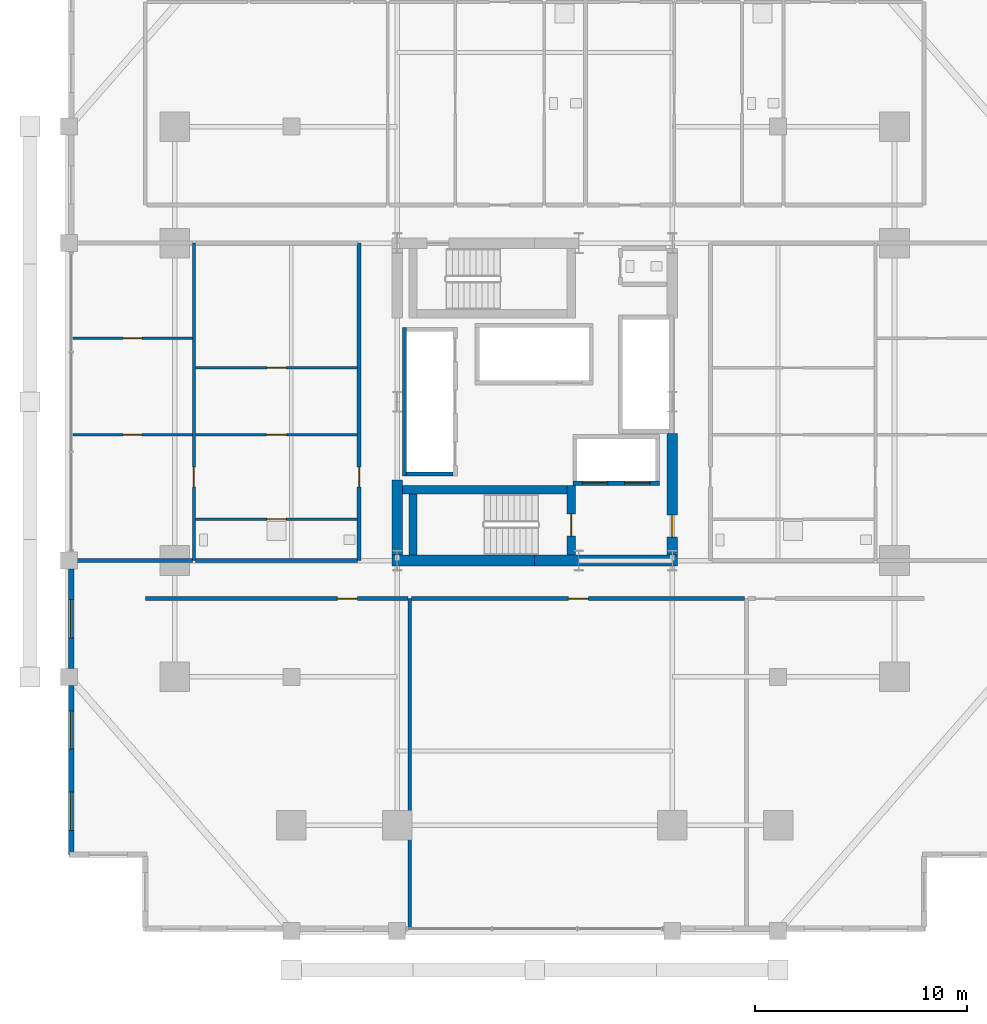
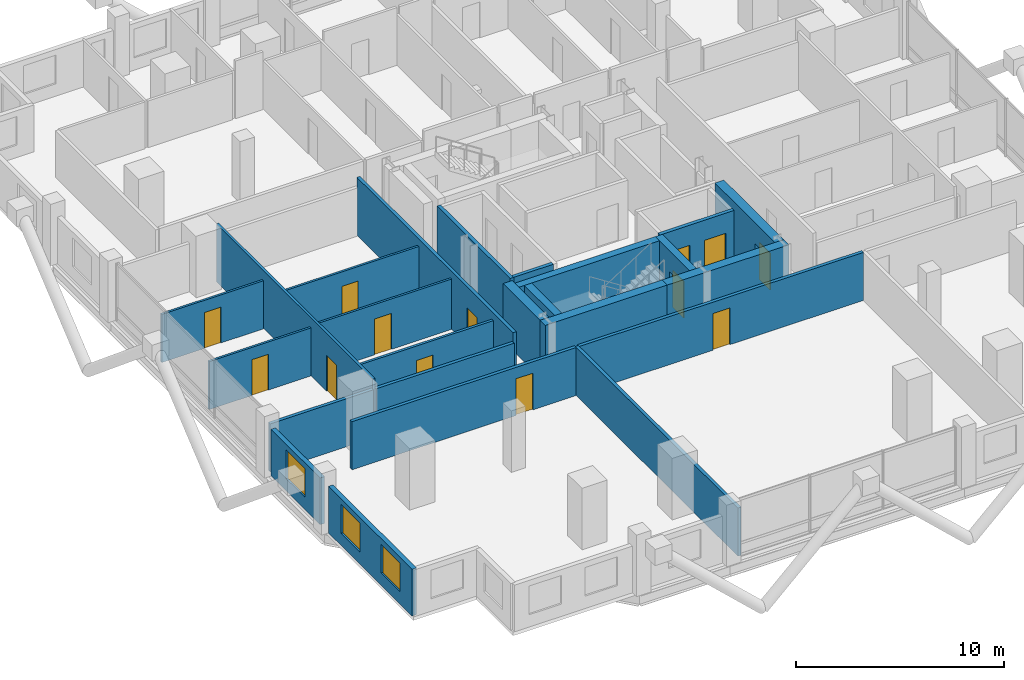
# One storey, part 17 of 23: 24 walls, 13 doors, 3 windows, 16 openings.
"""IFC4 building model written with IfcOpenShell, lengths in metres."""

from ifc_helpers import new_model, si_unit, direction, frame, frame_2d, origin, place, context, subcontext, project, spatial, rectangle, extrude, material, layer, layer_set, type_object, element, fill, save


model = new_model("IFC4")

# Units and contexts
model_context = context("Model", 3, precision=1e-05, world=origin(), true_north=direction((0.0, 1.0)))
body_context = subcontext(model_context, "Body", "Model", "MODEL_VIEW")
ifc_project = project(units=[si_unit("LENGTHUNIT", "METRE"), si_unit("AREAUNIT", "SQUARE_METRE"), si_unit("VOLUMEUNIT", "CUBIC_METRE"), si_unit("PLANEANGLEUNIT", "RADIAN"), si_unit("MASSUNIT", "GRAM", prefix="KILO")], contexts=[model_context])

# Site, building, storey
site_placement = place(None, origin())
site = spatial("IfcSite", under=ifc_project, at=site_placement, CompositionType="ELEMENT")
building_placement = place(site_placement, origin())
building = spatial("IfcBuilding", under=site, at=building_placement, Name="Barlavira Tower and Art Museum", CompositionType="ELEMENT")
storey_placement = place(building_placement, frame((0.0, 0.0, 57.60009765625)))
storey = spatial("IfcBuildingStorey", under=building, at=storey_placement, Name="L13", CompositionType="ELEMENT", Elevation=57.60009765625)

# Wall, opening, door
ifc_material_1 = material(Name="Gypsum acoustic stud partition", Category="gypsum")
ifc_layer_1 = layer(ifc_material_1, 0.1201171875, Name="Gypsum acoustic stud partition")
ifc_layer_set_1 = layer_set([ifc_layer_1], Name="Gypsum acoustic stud partition")
wall_type_1 = type_object("IfcWallType", Name="Apartment Internal Acoustic Partition 120", PredefinedType="PARTITIONING", material=ifc_layer_set_1)
wall_1_placement = place(storey_placement, frame((-21.820068359375, -1.550048828125, 0.0), z_axis=(0.0, 0.0, 1.0), x_axis=(1.0, 0.0, 0.0)))
wall_1 = element("IfcWall", 1, at=wall_1_placement, inside=storey, type_object=wall_type_1, Name="L13 Partition Wall 30", PredefinedType="PARTITIONING", context=body_context, shape_type="SweptSolid", body=[
    extrude(rectangle(XDim=5.64013671875, YDim=0.1201171875, at=frame_2d((2.820068359375, 0.0))), origin(), (0.0, 0.0, 1.0), 2.81591796875),
])
opening_1_placement = place(wall_1_placement, frame((2.3701171875, 0.0, 0.0)))
opening_1 = element("IfcOpeningElement", 2, at=opening_1_placement, cuts=wall_1, Name="Opening D-01", PredefinedType="OPENING", context=body_context, shape_type="SweptSolid", body=[
    extrude(rectangle(XDim=0.89990234375, YDim=2.10009765625, at=frame_2d((0.449951171875, 1.050048828125))), frame((0.0, 0.070068359375, 0.0), z_axis=(0.0, -1.0, 0.0), x_axis=(1.0, 0.0, 0.0)), (0.0, 0.0, 1.0), 0.14013671875),
])
ifc_material_2 = material(Name="Engineered coastal hardwood", Category="wood")
door_type_1 = type_object("IfcDoorType", Name="Internal Bedroom Timber Flush Door 900x2100", OperationType="NOTDEFINED", PredefinedType="DOOR", material=ifc_material_2)
door_1_placement = place(opening_1_placement, origin())
door_1 = element("IfcDoor", 3, at=door_1_placement, inside=storey, type_object=door_type_1, Name="Apartment W1 Bedroom 1 Door", OperationType="SINGLE_SWING_RIGHT", OverallHeight=2.10009765625, OverallWidth=0.89990234375, PredefinedType="DOOR", context=body_context, shape_type="SweptSolid", body=[
    extrude(rectangle(XDim=0.89990234375, YDim=2.10009765625, at=frame_2d((0.449951171875, 1.050048828125))), frame((0.0, 0.02490234375, 0.0), z_axis=(0.0, -1.0, 0.0), x_axis=(1.0, 0.0, 0.0)), (0.0, 0.0, 1.0), 0.050048828125),
])
fill(opening_1, door_1)

wall_2_placement = place(storey_placement, frame((-16.02001953125, -1.550048828125, 0.0), z_axis=(0.0, 0.0, 1.0), x_axis=(1.0, 0.0, 0.0)))
wall_2 = element("IfcWall", 4, at=wall_2_placement, inside=storey, type_object=wall_type_1, Name="L13 Partition Wall 31", PredefinedType="PARTITIONING", context=body_context, shape_type="SweptSolid", body=[
    extrude(rectangle(XDim=7.64013671875, YDim=0.1201171875, at=frame_2d((3.820068359375, 0.0))), origin(), (0.0, 0.0, 1.0), 2.947998046875),
])
opening_2_placement = place(wall_2_placement, frame((3.344970703125, 0.0, 0.0)))
opening_2 = element("IfcOpeningElement", 5, at=opening_2_placement, cuts=wall_2, Name="Opening D-02", PredefinedType="OPENING", context=body_context, shape_type="SweptSolid", body=[
    extrude(rectangle(XDim=0.949951171875, YDim=2.10009765625, at=frame_2d((0.47509765625, 1.050048828125))), frame((0.0, 0.070068359375, 0.0), z_axis=(0.0, -1.0, 0.0), x_axis=(1.0, 0.0, 0.0)), (0.0, 0.0, 1.0), 0.14013671875),
])
door_type_2 = type_object("IfcDoorType", Name="Living and Salon Glazed-Leaf Door 950x2100", OperationType="NOTDEFINED", PredefinedType="DOOR", material=ifc_material_2)
door_2_placement = place(opening_2_placement, origin())
door_2 = element("IfcDoor", 6, at=door_2_placement, inside=storey, type_object=door_type_2, Name="Apartment W1 Kitchen Door", OperationType="SINGLE_SWING_LEFT", OverallHeight=2.10009765625, OverallWidth=0.949951171875, PredefinedType="DOOR", context=body_context, shape_type="SweptSolid", body=[
    extrude(rectangle(XDim=0.949951171875, YDim=2.10009765625, at=frame_2d((0.47509765625, 1.050048828125))), frame((0.0, 0.02490234375, 0.0), z_axis=(0.0, -1.0, 0.0), x_axis=(1.0, 0.0, 0.0)), (0.0, 0.0, 1.0), 0.050048828125),
])
fill(opening_2, door_2)

wall_3_placement = place(storey_placement, frame((-16.02001953125, 1.60009765625, 0.0), z_axis=(0.0, 0.0, 1.0), x_axis=(1.0, 0.0, 0.0)))
wall_3 = element("IfcWall", 7, at=wall_3_placement, inside=storey, type_object=wall_type_1, Name="L13 Partition Wall 34", PredefinedType="PARTITIONING", context=body_context, shape_type="SweptSolid", body=[
    extrude(rectangle(XDim=7.64013671875, YDim=0.1201171875, at=frame_2d((3.820068359375, 0.0))), origin(), (0.0, 0.0, 1.0), 2.947998046875),
])
opening_3_placement = place(wall_3_placement, frame((3.3701171875, 0.0, 0.0)))
opening_3 = element("IfcOpeningElement", 8, at=opening_3_placement, cuts=wall_3, Name="Opening D-01", PredefinedType="OPENING", context=body_context, shape_type="SweptSolid", body=[
    extrude(rectangle(XDim=0.89990234375, YDim=2.10009765625, at=frame_2d((0.449951171875, 1.050048828125))), frame((0.0, 0.070068359375, 0.0), z_axis=(0.0, -1.0, 0.0), x_axis=(1.0, 0.0, 0.0)), (0.0, 0.0, 1.0), 0.14013671875),
])
door_3_placement = place(opening_3_placement, origin())
door_3 = element("IfcDoor", 9, at=door_3_placement, inside=storey, type_object=door_type_1, Name="Apartment W1 Walk-In Dressing Room Door", OperationType="SINGLE_SWING_RIGHT", OverallHeight=2.10009765625, OverallWidth=0.89990234375, PredefinedType="DOOR", context=body_context, shape_type="SweptSolid", body=[
    extrude(rectangle(XDim=0.89990234375, YDim=2.10009765625, at=frame_2d((0.449951171875, 1.050048828125))), frame((0.0, 0.02490234375, 0.0), z_axis=(0.0, -1.0, 0.0), x_axis=(1.0, 0.0, 0.0)), (0.0, 0.0, 1.0), 0.050048828125),
])
fill(opening_3, door_3)

wall_4_placement = place(storey_placement, frame((-21.820068359375, 3.0, 0.0), z_axis=(0.0, 0.0, 1.0), x_axis=(1.0, 0.0, 0.0)))
wall_4 = element("IfcWall", 10, at=wall_4_placement, inside=storey, type_object=wall_type_1, Name="L13 Partition Wall 36", PredefinedType="PARTITIONING", context=body_context, shape_type="SweptSolid", body=[
    extrude(rectangle(XDim=5.64013671875, YDim=0.1201171875, at=frame_2d((2.820068359375, 0.0))), origin(), (0.0, 0.0, 1.0), 2.81591796875),
])
opening_4_placement = place(wall_4_placement, frame((2.3701171875, 0.0, 0.0)))
opening_4 = element("IfcOpeningElement", 11, at=opening_4_placement, cuts=wall_4, Name="Opening D-01", PredefinedType="OPENING", context=body_context, shape_type="SweptSolid", body=[
    extrude(rectangle(XDim=0.89990234375, YDim=2.10009765625, at=frame_2d((0.449951171875, 1.050048828125))), frame((0.0, 0.070068359375, 0.0), z_axis=(0.0, -1.0, 0.0), x_axis=(1.0, 0.0, 0.0)), (0.0, 0.0, 1.0), 0.14013671875),
])
door_4_placement = place(opening_4_placement, origin())
door_4 = element("IfcDoor", 12, at=door_4_placement, inside=storey, type_object=door_type_1, Name="Apartment W1 Bedroom 2 Door", OperationType="SINGLE_SWING_LEFT", OverallHeight=2.10009765625, OverallWidth=0.89990234375, PredefinedType="DOOR", context=body_context, shape_type="SweptSolid", body=[
    extrude(rectangle(XDim=0.89990234375, YDim=2.10009765625, at=frame_2d((0.449951171875, 1.050048828125))), frame((0.0, 0.02490234375, 0.0), z_axis=(0.0, -1.0, 0.0), x_axis=(1.0, 0.0, 0.0)), (0.0, 0.0, 1.0), 0.050048828125),
])
fill(opening_4, door_4)

# Walls
ifc_material_3 = material(Name="Concrete C60", Category="concrete")
ifc_layer_2 = layer(ifc_material_3, 0.5, Name="Concrete C60")
ifc_layer_set_2 = layer_set([ifc_layer_2], Name="Concrete C60")
wall_type_2 = type_object("IfcWallType", Name="Core Structural Shear Wall 500 Concrete C60", PredefinedType="SHEAR", material=ifc_layer_set_2)
for number, where, z_axis, x_axis, name in (
    (13, (-6.75, -7.5, 0.0), (0.0, 0.0, 1.0), (1.0, 0.0, 0.0), "L13 Core Shear Wall CS-SW"),
    (14, (0.0, -7.5, 0.0), (0.0, 0.0, 1.0), (1.0, 0.0, 0.0), "L13 Core Shear Wall CS-SE"),
):
    element("IfcWall", number, at=place(storey_placement, frame(where, z_axis=z_axis, x_axis=x_axis)), inside=storey, type_object=wall_type_2, Name=name, PredefinedType="SHEAR", context=body_context, shape_type="SweptSolid", body=[
        extrude(rectangle(XDim=6.75, YDim=0.5, at=frame_2d((3.375, 0.0))), origin(), (0.0, 0.0, 1.0), 3.3798828125),
    ])
wall_5_placement = place(storey_placement, frame((-6.5, -7.25, 0.0), z_axis=(0.0, 0.0, 1.0), x_axis=(0.0, 1.0, 0.0)))
element("IfcWall", 15, at=wall_5_placement, inside=storey, type_object=wall_type_2, Name="L13 Core Shear Wall CS-W1", PredefinedType="SHEAR", context=body_context, shape_type="SweptSolid", body=[
    extrude(rectangle(XDim=3.550048828125, YDim=0.5, at=frame_2d((1.77490234375, 0.0))), origin(), (0.0, 0.0, 1.0), 3.3798828125),
])

# Wall, opening, door
wall_6_placement = place(storey_placement, frame((6.5, -7.25, 0.0), z_axis=(0.0, 0.0, 1.0), x_axis=(0.0, 1.0, 0.0)))
wall_6 = element("IfcWall", 16, at=wall_6_placement, inside=storey, type_object=wall_type_2, Name="L13 Core Shear Wall CS-E1", PredefinedType="SHEAR", context=body_context, shape_type="SweptSolid", body=[
    extrude(rectangle(XDim=5.75, YDim=0.5, at=frame_2d((2.875, 0.0))), origin(), (0.0, 0.0, 1.0), 3.3798828125),
])
opening_5_placement = place(wall_6_placement, frame((0.85009765625, 0.0, 0.0)))
opening_5 = element("IfcOpeningElement", 17, at=opening_5_placement, cuts=wall_6, Name="Opening FD-90", PredefinedType="OPENING", context=body_context, shape_type="SweptSolid", body=[
    extrude(rectangle(XDim=1.050048828125, YDim=2.14990234375, at=frame_2d((0.52490234375, 1.074951171875))), frame((0.0, 0.260009765625, 0.0), z_axis=(0.0, -1.0, 0.0), x_axis=(1.0, 0.0, 0.0)), (0.0, 0.0, 1.0), 0.52001953125),
])
ifc_material_4 = material(Name="Brushed stainless steel", Category="steel")
door_type_3 = type_object("IfcDoorType", Name="Stair and Refuge Fire Door 1050x2150 FD90S", OperationType="NOTDEFINED", PredefinedType="DOOR", material=ifc_material_4)
door_5_placement = place(opening_5_placement, origin())
door_5 = element("IfcDoor", 18, at=door_5_placement, inside=storey, type_object=door_type_3, Name="L13 Firefighting Lobby Entry Fire Door", OperationType="SINGLE_SWING_LEFT", OverallHeight=2.14990234375, OverallWidth=1.050048828125, PredefinedType="DOOR", context=body_context, shape_type="SweptSolid", body=[
    extrude(rectangle(XDim=1.050048828125, YDim=2.14990234375, at=frame_2d((0.52490234375, 1.074951171875))), frame((0.0, 0.02490234375, 0.0), z_axis=(0.0, -1.0, 0.0), x_axis=(1.0, 0.0, 0.0)), (0.0, 0.0, 1.0), 0.050048828125),
])
fill(opening_5, door_5)

# Walls
ifc_material_5 = material(Name="Autoclaved aerated concrete masonry", Category="masonry")
ifc_layer_3 = layer(ifc_material_5, 0.199951171875, Name="Autoclaved aerated concrete masonry")
ifc_layer_set_3 = layer_set([ifc_layer_3], Name="Autoclaved aerated concrete masonry")
wall_type_3 = type_object("IfcWallType", Name="Fire Compartment and Shaft Wall 200", PredefinedType="SOLIDWALL", material=ifc_layer_set_3)
wall_7_placement = place(storey_placement, frame((-6.14990234375, -3.510009765625, 0.0), z_axis=(0.0, 0.0, 1.0), x_axis=(0.0, 1.0, 0.0)))
element("IfcWall", 19, at=wall_7_placement, inside=storey, type_object=wall_type_3, Name="L13 Low-Rise Lift Back Shaft Wall", PredefinedType="SOLIDWALL", context=body_context, shape_type="SweptSolid", body=[
    extrude(rectangle(XDim=7.02001953125, YDim=0.199951171875, at=frame_2d((3.510009765625, 0.0))), origin(), (0.0, 0.0, 1.0), 3.3798828125),
])
wall_8_placement = place(storey_placement, frame((-6.050048828125, -3.409912109375, 0.0), z_axis=(0.0, 0.0, 1.0), x_axis=(1.0, 0.0, 0.0)))
element("IfcWall", 20, at=wall_8_placement, inside=storey, type_object=wall_type_3, Name="L13 Low-Rise Lift South Shaft Wall", PredefinedType="SOLIDWALL", context=body_context, shape_type="SweptSolid", body=[
    extrude(rectangle(XDim=2.199951171875, YDim=0.199951171875, at=frame_2d((1.10009765625, 0.0))), origin(), (0.0, 0.0, 1.0), 3.3798828125),
])

# Wall, openings, doors
wall_9_placement = place(storey_placement, frame((1.800048828125, -3.85009765625, 0.0), z_axis=(0.0, 0.0, 1.0), x_axis=(1.0, 0.0, 0.0)))
wall_9 = element("IfcWall", 21, at=wall_9_placement, inside=storey, type_object=wall_type_3, Name="L13 Firefighting Lift Front Shaft Wall", PredefinedType="SOLIDWALL", context=body_context, shape_type="SweptSolid", body=[
    extrude(rectangle(XDim=4.099853515625, YDim=0.199951171875, at=frame_2d((2.0498046875, 0.0))), origin(), (0.0, 0.0, 1.0), 3.3798828125),
])
opening_6_placement = place(wall_9_placement, frame((0.449951171875, 0.0, 0.0)))
opening_6 = element("IfcOpeningElement", 22, at=opening_6_placement, cuts=wall_9, Name="Opening LD-F", PredefinedType="OPENING", context=body_context, shape_type="SweptSolid", body=[
    extrude(rectangle(XDim=1.199951171875, YDim=2.199951171875, at=frame_2d((0.60009765625, 1.10009765625))), frame((0.0, 0.10986328125, 0.0), z_axis=(0.0, -1.0, 0.0), x_axis=(1.0, 0.0, 0.0)), (0.0, 0.0, 1.0), 0.219970703125),
])
opening_7_placement = place(wall_9_placement, frame((2.449951171875, 0.0, 0.0)))
opening_7 = element("IfcOpeningElement", 23, at=opening_7_placement, cuts=wall_9, Name="Opening LD-F", PredefinedType="OPENING", context=body_context, shape_type="SweptSolid", body=[
    extrude(rectangle(XDim=1.199951171875, YDim=2.199951171875, at=frame_2d((0.60009765625, 1.10009765625))), frame((0.0, 0.10986328125, 0.0), z_axis=(0.0, -1.0, 0.0), x_axis=(1.0, 0.0, 0.0)), (0.0, 0.0, 1.0), 0.219970703125),
])
door_type_4 = type_object("IfcDoorType", Name="Firefighting and Service Lift Sliding Door 1200x2200 FD120", OperationType="NOTDEFINED", PredefinedType="DOOR", material=ifc_material_4)
door_6_placement = place(opening_6_placement, origin())
door_6 = element("IfcDoor", 24, at=door_6_placement, inside=storey, type_object=door_type_4, Name="L13 Firefighting Lift FF1 Sliding Door", OperationType="DOUBLE_DOOR_SLIDING", OverallHeight=2.199951171875, OverallWidth=1.199951171875, PredefinedType="DOOR", context=body_context, shape_type="SweptSolid", body=[
    extrude(rectangle(XDim=1.199951171875, YDim=2.199951171875, at=frame_2d((0.60009765625, 1.10009765625))), frame((0.0, 0.02490234375, 0.0), z_axis=(0.0, -1.0, 0.0), x_axis=(1.0, 0.0, 0.0)), (0.0, 0.0, 1.0), 0.050048828125),
])
fill(opening_6, door_6)
door_7_placement = place(opening_7_placement, origin())
door_7 = element("IfcDoor", 25, at=door_7_placement, inside=storey, type_object=door_type_4, Name="L13 Firefighting Lift FF2 Sliding Door", OperationType="DOUBLE_DOOR_SLIDING", OverallHeight=2.199951171875, OverallWidth=1.199951171875, PredefinedType="DOOR", context=body_context, shape_type="SweptSolid", body=[
    extrude(rectangle(XDim=1.199951171875, YDim=2.199951171875, at=frame_2d((0.60009765625, 1.10009765625))), frame((0.0, 0.02490234375, 0.0), z_axis=(0.0, -1.0, 0.0), x_axis=(1.0, 0.0, 0.0)), (0.0, 0.0, 1.0), 0.050048828125),
])
fill(opening_7, door_7)

# Wall, opening, door
ifc_layer_4 = layer(ifc_material_1, 0.179931640625, Name="Gypsum acoustic stud partition")
ifc_layer_set_4 = layer_set([ifc_layer_4], Name="Gypsum acoustic stud partition")
wall_type_4 = type_object("IfcWallType", Name="Inter-Tenancy Party Partition Wall 180", PredefinedType="PARTITIONING", material=ifc_layer_set_4)
wall_10_placement = place(storey_placement, frame((-8.300048828125, -7.5, 0.0), z_axis=(0.0, 0.0, 1.0), x_axis=(0.0, 1.0, 0.0)))
wall_10 = element("IfcWall", 26, at=wall_10_placement, inside=storey, type_object=wall_type_4, Name="L13 Partition Wall 5", PredefinedType="PARTITIONING", context=body_context, shape_type="SweptSolid", body=[
    extrude(rectangle(XDim=15.0, YDim=0.179931640625, at=frame_2d((7.5, 0.0))), origin(), (0.0, 0.0, 1.0), 3.3798828125),
])
opening_8_placement = place(wall_10_placement, frame((3.47509765625, 0.0, 0.0)))
opening_8 = element("IfcOpeningElement", 27, at=opening_8_placement, cuts=wall_10, Name="Opening FD-60", PredefinedType="OPENING", context=body_context, shape_type="SweptSolid", body=[
    extrude(rectangle(XDim=0.949951171875, YDim=2.14990234375, at=frame_2d((0.47509765625, 1.074951171875))), frame((0.0, 0.10009765625, 0.0), z_axis=(0.0, -1.0, 0.0), x_axis=(1.0, 0.0, 0.0)), (0.0, 0.0, 1.0), 0.199951171875),
])
door_type_5 = type_object("IfcDoorType", Name="Apartment Entrance and Riser Fire Door 950x2150 FD60S", OperationType="NOTDEFINED", PredefinedType="DOOR", material=ifc_material_4)
door_8_placement = place(opening_8_placement, origin())
door_8 = element("IfcDoor", 28, at=door_8_placement, inside=storey, type_object=door_type_5, Name="Apartment Entrance Hall W1 Door", OperationType="SINGLE_SWING_RIGHT", OverallHeight=2.14990234375, OverallWidth=0.949951171875, PredefinedType="DOOR", context=body_context, shape_type="SweptSolid", body=[
    extrude(rectangle(XDim=0.949951171875, YDim=2.14990234375, at=frame_2d((0.47509765625, 1.074951171875))), frame((0.0, 0.02490234375, 0.0), z_axis=(0.0, -1.0, 0.0), x_axis=(1.0, 0.0, 0.0)), (0.0, 0.0, 1.0), 0.050048828125),
])
fill(opening_8, door_8)

# Wall
wall_11_placement = place(storey_placement, frame((-5.89990234375, -24.89990234375, 0.0), z_axis=(0.0, 0.0, 1.0), x_axis=(0.0, 1.0, 0.0)))
element("IfcWall", 29, at=wall_11_placement, inside=storey, type_object=wall_type_4, Name="L13 Partition Wall 7", PredefinedType="PARTITIONING", context=body_context, shape_type="SweptSolid", body=[
    extrude(rectangle(XDim=15.599853515625, YDim=0.179931640625, at=frame_2d((7.7998046875, 0.0))), origin(), (0.0, 0.0, 1.0), 2.81591796875),
])

# Wall, opening, door
wall_12_placement = place(storey_placement, frame((-18.39990234375, -9.300048828125, 0.0), z_axis=(0.0, 0.0, 1.0), x_axis=(1.0, 0.0, 0.0)))
wall_12 = element("IfcWall", 30, at=wall_12_placement, inside=storey, type_object=wall_type_4, Name="L13 Partition Wall 21", PredefinedType="PARTITIONING", context=body_context, shape_type="SweptSolid", body=[
    extrude(rectangle(XDim=12.419921875, YDim=0.179931640625, at=frame_2d((6.2099609375, 0.0))), origin(), (0.0, 0.0, 1.0), 2.81591796875),
])
opening_9_placement = place(wall_12_placement, frame((9.074951171875, 0.0, 0.0)))
opening_9 = element("IfcOpeningElement", 31, at=opening_9_placement, cuts=wall_12, Name="Opening FD-60", PredefinedType="OPENING", context=body_context, shape_type="SweptSolid", body=[
    extrude(rectangle(XDim=0.949951171875, YDim=2.14990234375, at=frame_2d((0.47509765625, 1.074951171875))), frame((0.0, 0.10009765625, 0.0), z_axis=(0.0, -1.0, 0.0), x_axis=(1.0, 0.0, 0.0)), (0.0, 0.0, 1.0), 0.199951171875),
])
door_9_placement = place(opening_9_placement, origin())
door_9 = element("IfcDoor", 32, at=door_9_placement, inside=storey, type_object=door_type_5, Name="Resident Sky Coworking Studio Door", OperationType="SINGLE_SWING_RIGHT", OverallHeight=2.14990234375, OverallWidth=0.949951171875, PredefinedType="DOOR", context=body_context, shape_type="SweptSolid", body=[
    extrude(rectangle(XDim=0.949951171875, YDim=2.14990234375, at=frame_2d((0.47509765625, 1.074951171875))), frame((0.0, 0.02490234375, 0.0), z_axis=(0.0, -1.0, 0.0), x_axis=(1.0, 0.0, 0.0)), (0.0, 0.0, 1.0), 0.050048828125),
])
fill(opening_9, door_9)

wall_13_placement = place(storey_placement, frame((-5.820068359375, -9.300048828125, 0.0), z_axis=(0.0, 0.0, 1.0), x_axis=(1.0, 0.0, 0.0)))
wall_13 = element("IfcWall", 33, at=wall_13_placement, inside=storey, type_object=wall_type_4, Name="L13 Partition Wall 22", PredefinedType="PARTITIONING", context=body_context, shape_type="SweptSolid", body=[
    extrude(rectangle(XDim=15.739990234375, YDim=0.179931640625, at=frame_2d((7.8701171875, 0.0))), origin(), (0.0, 0.0, 1.0), 2.81591796875),
])
opening_10_placement = place(wall_13_placement, frame((7.405029296875, 0.0, 0.0)))
opening_10 = element("IfcOpeningElement", 34, at=opening_10_placement, cuts=wall_13, Name="Opening FD-60", PredefinedType="OPENING", context=body_context, shape_type="SweptSolid", body=[
    extrude(rectangle(XDim=0.949951171875, YDim=2.14990234375, at=frame_2d((0.47509765625, 1.074951171875))), frame((0.0, 0.10009765625, 0.0), z_axis=(0.0, -1.0, 0.0), x_axis=(1.0, 0.0, 0.0)), (0.0, 0.0, 1.0), 0.199951171875),
])
door_10_placement = place(opening_10_placement, origin())
door_10 = element("IfcDoor", 35, at=door_10_placement, inside=storey, type_object=door_type_5, Name="Atlantic Horizon Boardroom Door", OperationType="SINGLE_SWING_LEFT", OverallHeight=2.14990234375, OverallWidth=0.949951171875, PredefinedType="DOOR", context=body_context, shape_type="SweptSolid", body=[
    extrude(rectangle(XDim=0.949951171875, YDim=2.14990234375, at=frame_2d((0.47509765625, 1.074951171875))), frame((0.0, 0.02490234375, 0.0), z_axis=(0.0, -1.0, 0.0), x_axis=(1.0, 0.0, 0.0)), (0.0, 0.0, 1.0), 0.050048828125),
])
fill(opening_10, door_10)

# Walls
wall_14_placement = place(storey_placement, frame((-21.89990234375, -7.5, 0.0), z_axis=(0.0, 0.0, 1.0), x_axis=(1.0, 0.0, 0.0)))
element("IfcWall", 36, at=wall_14_placement, inside=storey, type_object=wall_type_4, Name="L13 Partition Wall 24", PredefinedType="PARTITIONING", context=body_context, shape_type="SweptSolid", body=[
    extrude(rectangle(XDim=5.719970703125, YDim=0.179931640625, at=frame_2d((2.85986328125, 0.0))), origin(), (0.0, 0.0, 1.0), 2.81591796875),
])
wall_15_placement = place(storey_placement, frame((-16.02001953125, -7.5, 0.0), z_axis=(0.0, 0.0, 1.0), x_axis=(1.0, 0.0, 0.0)))
element("IfcWall", 37, at=wall_15_placement, inside=storey, type_object=wall_type_4, Name="L13 Partition Wall 25", PredefinedType="PARTITIONING", context=body_context, shape_type="SweptSolid", body=[
    extrude(rectangle(XDim=7.64013671875, YDim=0.179931640625, at=frame_2d((3.820068359375, 0.0))), origin(), (0.0, 0.0, 1.0), 2.81591796875),
])

# Wall, opening, door
ifc_layer_5 = layer(ifc_material_1, 0.139892578125, Name="Gypsum acoustic stud partition")
ifc_layer_set_5 = layer_set([ifc_layer_5], Name="Gypsum acoustic stud partition")
wall_type_5 = type_object("IfcWallType", Name="Moisture-Resistant Bathroom Partition 140", PredefinedType="PARTITIONING", material=ifc_layer_set_5)
wall_16_placement = place(storey_placement, frame((-16.10009765625, -7.5, 0.0), z_axis=(0.0, 0.0, 1.0), x_axis=(0.0, 1.0, 0.0)))
wall_16 = element("IfcWall", 38, at=wall_16_placement, inside=storey, type_object=wall_type_5, Name="L13 Partition Wall 2", PredefinedType="PARTITIONING", context=body_context, shape_type="SweptSolid", body=[
    extrude(rectangle(XDim=15.0, YDim=0.139892578125, at=frame_2d((7.5, 0.0))), origin(), (0.0, 0.0, 1.0), 3.3798828125),
])
opening_11_placement = place(wall_16_placement, frame((3.47509765625, 0.0, 0.0)))
opening_11 = element("IfcOpeningElement", 39, at=opening_11_placement, cuts=wall_16, Name="Opening D-02", PredefinedType="OPENING", context=body_context, shape_type="SweptSolid", body=[
    extrude(rectangle(XDim=0.949951171875, YDim=2.10009765625, at=frame_2d((0.47509765625, 1.050048828125))), frame((0.0, 0.080078125, 0.0), z_axis=(0.0, -1.0, 0.0), x_axis=(1.0, 0.0, 0.0)), (0.0, 0.0, 1.0), 0.159912109375),
])
door_11_placement = place(opening_11_placement, origin())
door_11 = element("IfcDoor", 40, at=door_11_placement, inside=storey, type_object=door_type_2, Name="Apartment W1 Living Lounge Door", OperationType="SINGLE_SWING_LEFT", OverallHeight=2.10009765625, OverallWidth=0.949951171875, PredefinedType="DOOR", context=body_context, shape_type="SweptSolid", body=[
    extrude(rectangle(XDim=0.949951171875, YDim=2.10009765625, at=frame_2d((0.47509765625, 1.050048828125))), frame((0.0, 0.02490234375, 0.0), z_axis=(0.0, -1.0, 0.0), x_axis=(1.0, 0.0, 0.0)), (0.0, 0.0, 1.0), 0.050048828125),
])
fill(opening_11, door_11)

wall_17_placement = place(storey_placement, frame((-16.02001953125, -5.550048828125, 0.0), z_axis=(0.0, 0.0, 1.0), x_axis=(1.0, 0.0, 0.0)))
wall_17 = element("IfcWall", 41, at=wall_17_placement, inside=storey, type_object=wall_type_5, Name="L13 Partition Wall 28", PredefinedType="PARTITIONING", context=body_context, shape_type="SweptSolid", body=[
    extrude(rectangle(XDim=7.64013671875, YDim=0.139892578125, at=frame_2d((3.820068359375, 0.0))), origin(), (0.0, 0.0, 1.0), 2.947998046875),
])
opening_12_placement = place(wall_17_placement, frame((3.3701171875, 0.0, 0.0)))
opening_12 = element("IfcOpeningElement", 42, at=opening_12_placement, cuts=wall_17, Name="Opening D-WC", PredefinedType="OPENING", context=body_context, shape_type="SweptSolid", body=[
    extrude(rectangle(XDim=0.89990234375, YDim=2.10009765625, at=frame_2d((0.449951171875, 1.050048828125))), frame((0.0, 0.080078125, 0.0), z_axis=(0.0, -1.0, 0.0), x_axis=(1.0, 0.0, 0.0)), (0.0, 0.0, 1.0), 0.159912109375),
])
door_type_6 = type_object("IfcDoorType", Name="Accessible Bathroom Flush Door 900x2100", OperationType="NOTDEFINED", PredefinedType="DOOR", material=ifc_material_2)
door_12_placement = place(opening_12_placement, origin())
door_12 = element("IfcDoor", 43, at=door_12_placement, inside=storey, type_object=door_type_6, Name="Apartment W1 Hall Bathroom Door", OperationType="SINGLE_SWING_LEFT", OverallHeight=2.10009765625, OverallWidth=0.89990234375, PredefinedType="DOOR", context=body_context, shape_type="SweptSolid", body=[
    extrude(rectangle(XDim=0.89990234375, YDim=2.10009765625, at=frame_2d((0.449951171875, 1.050048828125))), frame((0.0, 0.02490234375, 0.0), z_axis=(0.0, -1.0, 0.0), x_axis=(1.0, 0.0, 0.0)), (0.0, 0.0, 1.0), 0.050048828125),
])
fill(opening_12, door_12)

# Wall, opening, window
ifc_material_6 = material(Name="Precast concrete C40", Category="concrete")
ifc_layer_6 = layer(ifc_material_6, 0.25, Name="Precast concrete C40")
ifc_layer_set_6 = layer_set([ifc_layer_6], Name="Precast concrete C40")
wall_type_6 = type_object("IfcWallType", Name="Notched Corner Spandrel Wall 250 Precast Concrete C40", PredefinedType="SOLIDWALL", material=ifc_layer_set_6)
wall_18_placement = place(storey_placement, frame((-21.89990234375, -7.89501953125, 0.0), z_axis=(0.0, 0.0, 1.0), x_axis=(0.0, -1.0, 0.0)))
wall_18 = element("IfcWall", 44, at=wall_18_placement, inside=storey, type_object=wall_type_6, Name="L13 Coastal Facade Pier Wall CW1-L13-W-4", PredefinedType="SOLIDWALL", context=body_context, shape_type="SweptSolid", body=[
    extrude(rectangle(XDim=4.7099609375, YDim=0.25, at=frame_2d((2.35498046875, 0.0))), origin(), (0.0, 0.0, 1.0), 2.73583984375),
])
opening_13_placement = place(wall_18_placement, frame((1.455078125, 0.0, 0.719970703125)))
opening_13 = element("IfcOpeningElement", 45, at=opening_13_placement, cuts=wall_18, Name="Opening WN-01", PredefinedType="OPENING", context=body_context, shape_type="SweptSolid", body=[
    extrude(rectangle(XDim=1.800048828125, YDim=1.679931640625, at=frame_2d((0.89990234375, 0.83984375))), frame((0.0, 0.135009765625, 0.0), z_axis=(0.0, -1.0, 0.0), x_axis=(1.0, 0.0, 0.0)), (0.0, 0.0, 1.0), 0.27001953125),
])
ifc_material_7 = material(Name="Low-iron coastal laminated glass", Category="glass")
window_type = type_object("IfcWindowType", Name="Recessed Notch Corner Punch Window 1800x1680", PartitioningType="SINGLE_PANEL", PredefinedType="WINDOW", material=ifc_material_7)
window_1_placement = place(opening_13_placement, origin())
window_1 = element("IfcWindow", 46, at=window_1_placement, inside=storey, type_object=window_type, Name="L13 Punched Facade Window EWP-CW1-L13-W-4-1", OverallHeight=1.679931640625, OverallWidth=1.800048828125, PartitioningType="SINGLE_PANEL", PredefinedType="WINDOW", context=body_context, shape_type="SweptSolid", body=[
    extrude(rectangle(XDim=1.800048828125, YDim=1.679931640625, at=frame_2d((0.89990234375, 0.83984375))), frame((0.0, 0.030029296875, 0.0), z_axis=(0.0, -1.0, 0.0), x_axis=(1.0, 0.0, 0.0)), (0.0, 0.0, 1.0), 0.06005859375),
])
fill(opening_13, window_1)

# Wall, openings, windows
wall_19_placement = place(storey_placement, frame((-21.89990234375, -13.39501953125, 0.0), z_axis=(0.0, 0.0, 1.0), x_axis=(0.0, -1.0, 0.0)))
wall_19 = element("IfcWall", 47, at=wall_19_placement, inside=storey, type_object=wall_type_6, Name="L13 Coastal Facade Pier Wall CW1-L13-W-5", PredefinedType="SOLIDWALL", context=body_context, shape_type="SweptSolid", body=[
    extrude(rectangle(XDim=8.030029296875, YDim=0.25, at=frame_2d((4.01513671875, 0.0))), origin(), (0.0, 0.0, 1.0), 2.73583984375),
])
opening_14_placement = place(wall_19_placement, frame((1.220947265625, 0.0, 0.719970703125)))
opening_14 = element("IfcOpeningElement", 48, at=opening_14_placement, cuts=wall_19, Name="Opening WN-01", PredefinedType="OPENING", context=body_context, shape_type="SweptSolid", body=[
    extrude(rectangle(XDim=1.800048828125, YDim=1.679931640625, at=frame_2d((0.89990234375, 0.83984375))), frame((0.0, 0.135009765625, 0.0), z_axis=(0.0, -1.0, 0.0), x_axis=(1.0, 0.0, 0.0)), (0.0, 0.0, 1.0), 0.27001953125),
])
opening_15_placement = place(wall_19_placement, frame((5.053955078125, 0.0, 0.719970703125)))
opening_15 = element("IfcOpeningElement", 49, at=opening_15_placement, cuts=wall_19, Name="Opening WN-01", PredefinedType="OPENING", context=body_context, shape_type="SweptSolid", body=[
    extrude(rectangle(XDim=1.800048828125, YDim=1.679931640625, at=frame_2d((0.89990234375, 0.83984375))), frame((0.0, 0.135009765625, 0.0), z_axis=(0.0, -1.0, 0.0), x_axis=(1.0, 0.0, 0.0)), (0.0, 0.0, 1.0), 0.27001953125),
])
window_2_placement = place(opening_14_placement, origin())
window_2 = element("IfcWindow", 50, at=window_2_placement, inside=storey, type_object=window_type, Name="L13 Punched Facade Window EWP-CW1-L13-W-5-1", OverallHeight=1.679931640625, OverallWidth=1.800048828125, PartitioningType="SINGLE_PANEL", PredefinedType="WINDOW", context=body_context, shape_type="SweptSolid", body=[
    extrude(rectangle(XDim=1.800048828125, YDim=1.679931640625, at=frame_2d((0.89990234375, 0.83984375))), frame((0.0, 0.030029296875, 0.0), z_axis=(0.0, -1.0, 0.0), x_axis=(1.0, 0.0, 0.0)), (0.0, 0.0, 1.0), 0.06005859375),
])
fill(opening_14, window_2)
window_3_placement = place(opening_15_placement, origin())
window_3 = element("IfcWindow", 51, at=window_3_placement, inside=storey, type_object=window_type, Name="L13 Punched Facade Window EWP-CW1-L13-W-5-2", OverallHeight=1.679931640625, OverallWidth=1.800048828125, PartitioningType="SINGLE_PANEL", PredefinedType="WINDOW", context=body_context, shape_type="SweptSolid", body=[
    extrude(rectangle(XDim=1.800048828125, YDim=1.679931640625, at=frame_2d((0.89990234375, 0.83984375))), frame((0.0, 0.030029296875, 0.0), z_axis=(0.0, -1.0, 0.0), x_axis=(1.0, 0.0, 0.0)), (0.0, 0.0, 1.0), 0.06005859375),
])
fill(opening_15, window_3)

# Walls
ifc_material_8 = material(Name="Concrete C55", Category="concrete")
ifc_layer_7 = layer(ifc_material_8, 0.39990234375, Name="Concrete C55")
ifc_layer_set_7 = layer_set([ifc_layer_7], Name="Concrete C55")
wall_type_7 = type_object("IfcWallType", Name="Upper Core Shear Wall 400 Concrete C55", PredefinedType="SHEAR", material=ifc_layer_set_7)
wall_20_placement = place(storey_placement, frame((-5.75, -7.25, 0.0), z_axis=(0.0, 0.0, 1.0), x_axis=(0.0, 1.0, 0.0)))
element("IfcWall", 52, at=wall_20_placement, inside=storey, type_object=wall_type_7, Name="L13 ST-T1 West Half-Landing Wall", PredefinedType="SHEAR", context=body_context, shape_type="SweptSolid", body=[
    extrude(rectangle(XDim=2.89990234375, YDim=0.39990234375, at=frame_2d((1.449951171875, 0.0))), origin(), (0.0, 0.0, 1.0), 3.3798828125),
])
wall_21_placement = place(storey_placement, frame((-6.25, -4.14990234375, 0.0), z_axis=(0.0, 0.0, 1.0), x_axis=(1.0, 0.0, 0.0)))
element("IfcWall", 53, at=wall_21_placement, inside=storey, type_object=wall_type_7, Name="L13 ST-T1 North Shaft Wall", PredefinedType="SHEAR", context=body_context, shape_type="SweptSolid", body=[
    extrude(rectangle(XDim=7.780029296875, YDim=0.39990234375, at=frame_2d((3.89013671875, 0.0))), origin(), (0.0, 0.0, 1.0), 3.3798828125),
])

# Wall, opening, door
wall_22_placement = place(storey_placement, frame((1.72998046875, -7.25, 0.0), z_axis=(0.0, 0.0, 1.0), x_axis=(0.0, 1.0, 0.0)))
wall_22 = element("IfcWall", 54, at=wall_22_placement, inside=storey, type_object=wall_type_7, Name="L13 ST-T1 East Landing Wall", PredefinedType="SHEAR", context=body_context, shape_type="SweptSolid", body=[
    extrude(rectangle(XDim=3.300048828125, YDim=0.39990234375, at=frame_2d((1.64990234375, 0.0))), origin(), (0.0, 0.0, 1.0), 3.3798828125),
])
opening_16_placement = place(wall_22_placement, frame((0.89990234375, 0.0, 0.0)))
opening_16 = element("IfcOpeningElement", 55, at=opening_16_placement, cuts=wall_22, Name="Opening FD-90", PredefinedType="OPENING", context=body_context, shape_type="SweptSolid", body=[
    extrude(rectangle(XDim=1.050048828125, YDim=2.14990234375, at=frame_2d((0.52490234375, 1.074951171875))), frame((0.0, 0.2099609375, 0.0), z_axis=(0.0, -1.0, 0.0), x_axis=(1.0, 0.0, 0.0)), (0.0, 0.0, 1.0), 0.419921875),
])
door_13_placement = place(opening_16_placement, origin())
door_13 = element("IfcDoor", 56, at=door_13_placement, inside=storey, type_object=door_type_3, Name="L13 Stair ST-T1 Fire Door", OperationType="SINGLE_SWING_RIGHT", OverallHeight=2.14990234375, OverallWidth=1.050048828125, PredefinedType="DOOR", context=body_context, shape_type="SweptSolid", body=[
    extrude(rectangle(XDim=1.050048828125, YDim=2.14990234375, at=frame_2d((0.52490234375, 1.074951171875))), frame((0.0, 0.02490234375, 0.0), z_axis=(0.0, -1.0, 0.0), x_axis=(1.0, 0.0, 0.0)), (0.0, 0.0, 1.0), 0.050048828125),
])
fill(opening_16, door_13)

save(model, "model.ifc")
